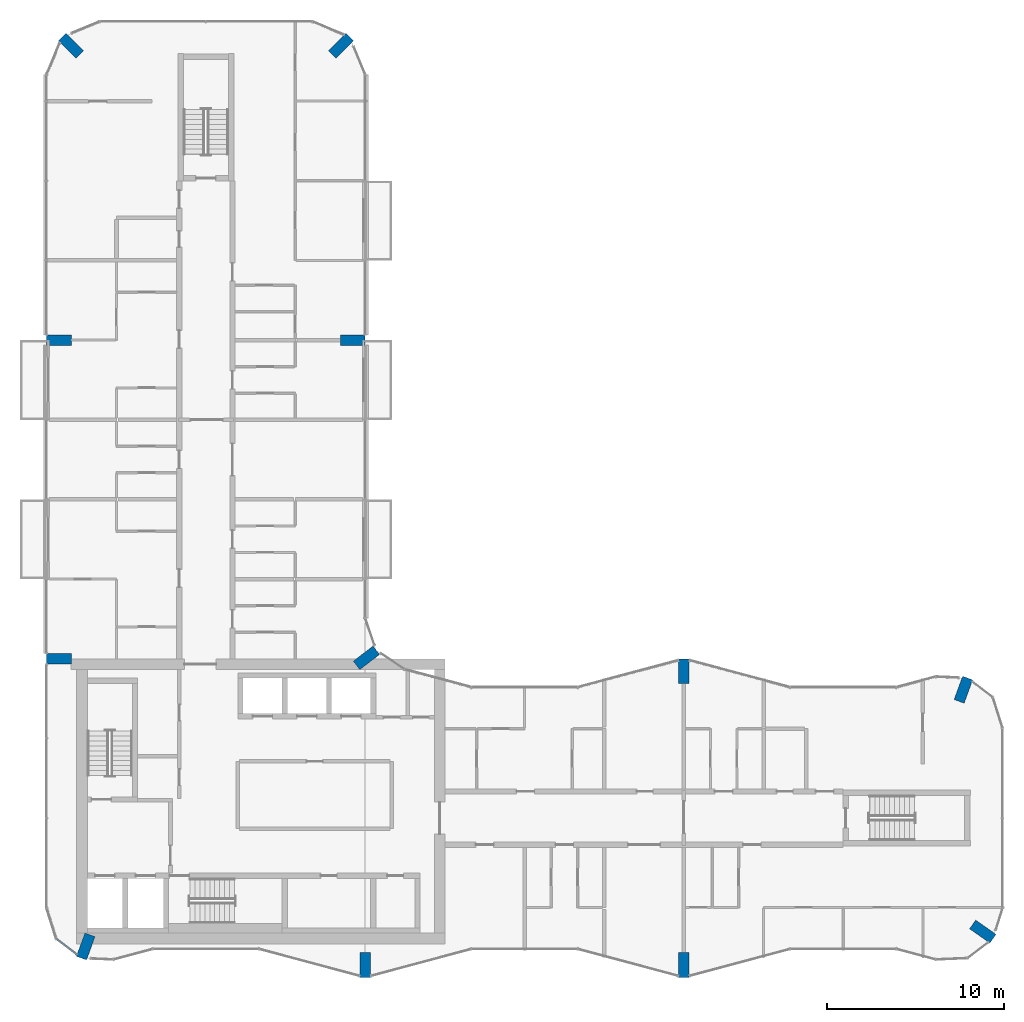
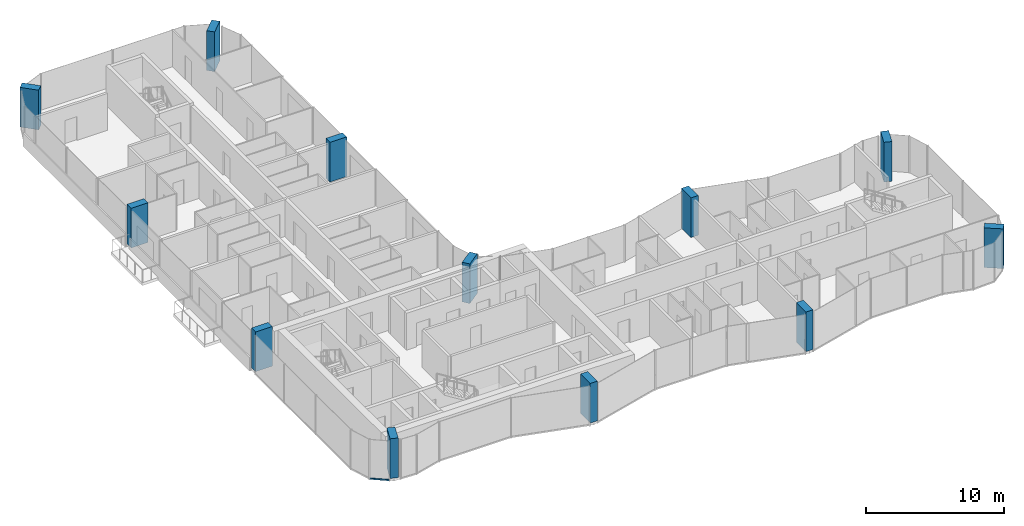
# One storey, part 1 of 17: 12 columns, 1 member, 1 element without a shape of its own.
"""IFC4 building model written with IfcOpenShell, lengths in metres."""

from ifc_helpers import new_model, si_unit, direction, frame, origin, origin_2d, place, context, subcontext, project, spatial, rectangle, extrude, material, layer, layer_set, material_profile, profile_set, type_object, element, aggregate, save


model = new_model("IFC4")

# Units and contexts
model_context = context("Model", 3, precision=1e-05, world=origin(), true_north=direction((0.0, 1.0)))
body_context = subcontext(model_context, "Body", "Model", "MODEL_VIEW")
ifc_project = project(units=[si_unit("LENGTHUNIT", "METRE"), si_unit("AREAUNIT", "SQUARE_METRE"), si_unit("VOLUMEUNIT", "CUBIC_METRE"), si_unit("PLANEANGLEUNIT", "RADIAN"), si_unit("MASSUNIT", "GRAM", prefix="KILO")], contexts=[model_context])

# Site, building, storey
site_placement = place(None, origin())
site = spatial("IfcSite", under=ifc_project, at=site_placement, CompositionType="ELEMENT")
building_placement = place(site_placement, origin())
building = spatial("IfcBuilding", under=site, at=building_placement, Name="Plateau Cross Towers", CompositionType="ELEMENT")
storey_placement = place(building_placement, frame((0.0, 0.0, 146.39990234375)))
storey = spatial("IfcBuildingStorey", under=building, at=storey_placement, Name="L37", CompositionType="ELEMENT", Elevation=146.39990234375)

# Columns
ifc_material_1 = material(Name="Concrete C60/75", Category="concrete")
ifc_material_profile_1 = material_profile(ifc_material_1, rectangle(XDim=0.60009765625, YDim=1.39990234375, at=origin_2d()), Name="RC 600x1400")
ifc_profile_set_1 = profile_set([ifc_material_profile_1], Name="Concrete C60/75")
column_type = type_object("IfcColumnType", Name="Fin pier column RC 600x1400", PredefinedType="COLUMN", material=ifc_profile_set_1)
for number, where, z_axis, x_axis, name in (
    (1, (18.0, 0.699951171875, 0.0), (0.0, 0.0, 1.0), (1.0, 0.0, 0.0), "PR1 L37"),
    (2, (36.0, 0.699951171875, 0.0), (0.0, 0.0, 1.0), (1.0, 0.0, 0.0), "PR2 L37"),
    (3, (52.884033203125, 2.590087890625, 0.0), (0.0, 0.0, 1.0), (0.573542637991, 0.819175709117, 0.0), "PR3 L37"),
    (4, (51.786865234375, 16.251953125, 0.0), (0.0, 0.0, 1.0), (-0.939664280925, 0.342097996418, 0.0), "PR4 L37"),
    (5, (36.0, 17.300048828125, 0.0), (0.0, 0.0, 1.0), (1.0, 0.0, 0.0), "PR5 L37"),
    (6, (18.064697265625, 18.049560546875, 0.0), (0.0, 0.0, 1.0), (-0.608810846443, 0.793315418515, 0.0), "PR6 L37"),
    (7, (17.300048828125, 36.0, 0.0), (0.0, 0.0, 1.0), (0.0, 1.0, 0.0), "PR7 L37"),
    (8, (16.62646484375, 52.62646484375, 0.0), (0.0, 0.0, 1.0), (-0.707106781187, 0.707106781187, 0.0), "PR8 L37"),
    (9, (1.37353515625, 52.62646484375, 0.0), (0.0, 0.0, 1.0), (0.707106781187, 0.707106781187, 0.0), "PR9 L37"),
    (10, (0.699951171875, 36.0, 0.0), (0.0, 0.0, 1.0), (0.0, 1.0, 0.0), "PR10 L37"),
    (11, (0.699951171875, 18.0, 0.0), (0.0, 0.0, 1.0), (0.0, 1.0, 0.0), "PR11 L37"),
    (12, (2.213134765625, 1.748046875, 0.0), (0.0, 0.0, 1.0), (-0.939664280925, 0.342097996418, 0.0), "PR12 L37"),
):
    element("IfcColumn", number, at=place(storey_placement, frame(where, z_axis=z_axis, x_axis=x_axis)), inside=storey, type_object=column_type, Name=name, PredefinedType="COLUMN", context=body_context, shape_type="SweptSolid", body=[
        extrude(rectangle(XDim=0.60009765625, YDim=1.39990234375, at=origin_2d()), origin(), (0.0, 0.0, 1.0), 3.5),
    ])

# Curtain wall, member
ifc_material_2 = material(Name="Dark low-iron glass", Category="glass")
ifc_layer = layer(ifc_material_2, 0.239990234375)
ifc_layer_set = layer_set([ifc_layer], Name="Dark low-iron glass")
curtain_wall_type = type_object("IfcCurtainWallType", Name="Curtain wall flush unitised CW-B", PredefinedType="NOTDEFINED", material=ifc_layer_set)
curtain_wall_placement = place(storey_placement, origin())
curtain_wall = element("IfcCurtainWall", 13, at=curtain_wall_placement, inside=storey, type_object=curtain_wall_type, Name="ENV/A/L37/A5_22", PredefinedType="NOTDEFINED")
ifc_material_3 = material(Name="Black anodised aluminium", Category="aluminium")
ifc_material_profile_2 = material_profile(ifc_material_3, rectangle(XDim=0.10009765625, YDim=0.1201171875, at=origin_2d()), Name="TRANSOM 100x120")
ifc_profile_set_2 = profile_set([ifc_material_profile_2], Name="Black anodised aluminium")
member_type = type_object("IfcMemberType", Name="Transom 100x120 flush unitised", PredefinedType="USERDEFINED", material=ifc_profile_set_2)
member_placement = place(storey_placement, frame((0.54248046875, 2.1884765625, -0.18994140625), z_axis=(0.793320508571, -0.608804213751, 0.0), x_axis=(0.608804213751, 0.793320508571, 0.0)))
member = element("IfcMember", 14, at=member_placement, type_object=member_type, Name="CW-B transom", ObjectType="TRANSOM", PredefinedType="USERDEFINED", context=body_context, shape_type="SweptSolid", body=[
    extrude(rectangle(XDim=0.10009765625, YDim=0.1201171875, at=origin_2d()), origin(), (0.0, 0.0, 1.0), 1.471435546875),
])
aggregate(curtain_wall, [member])

save(model, "model.ifc")
